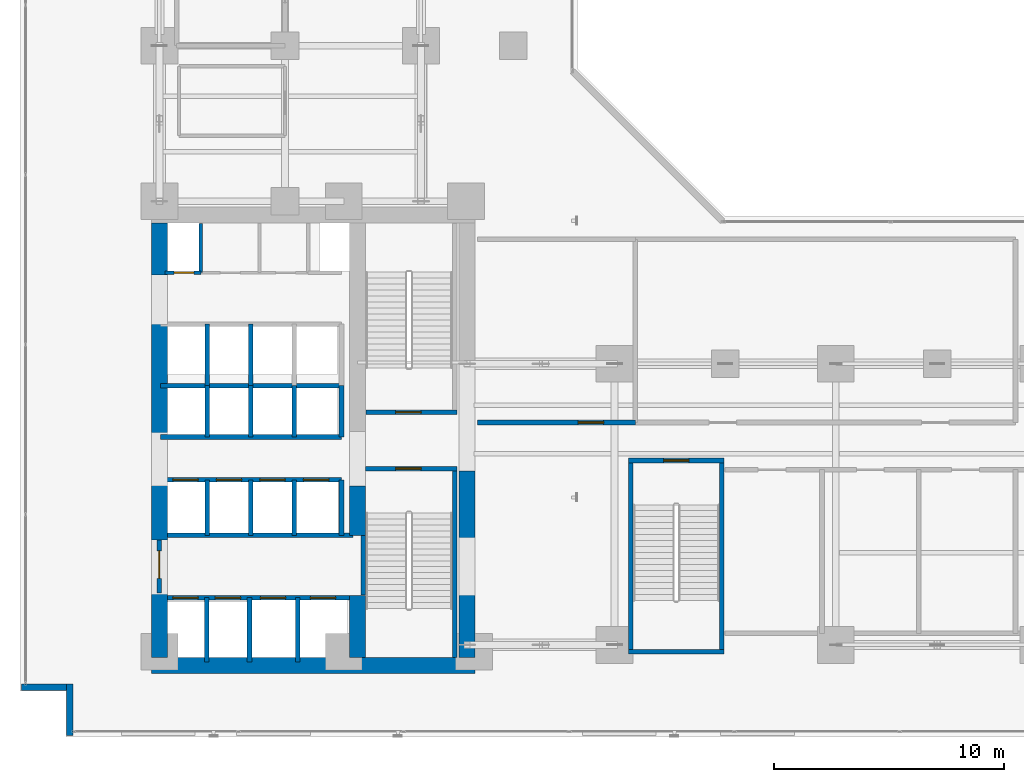
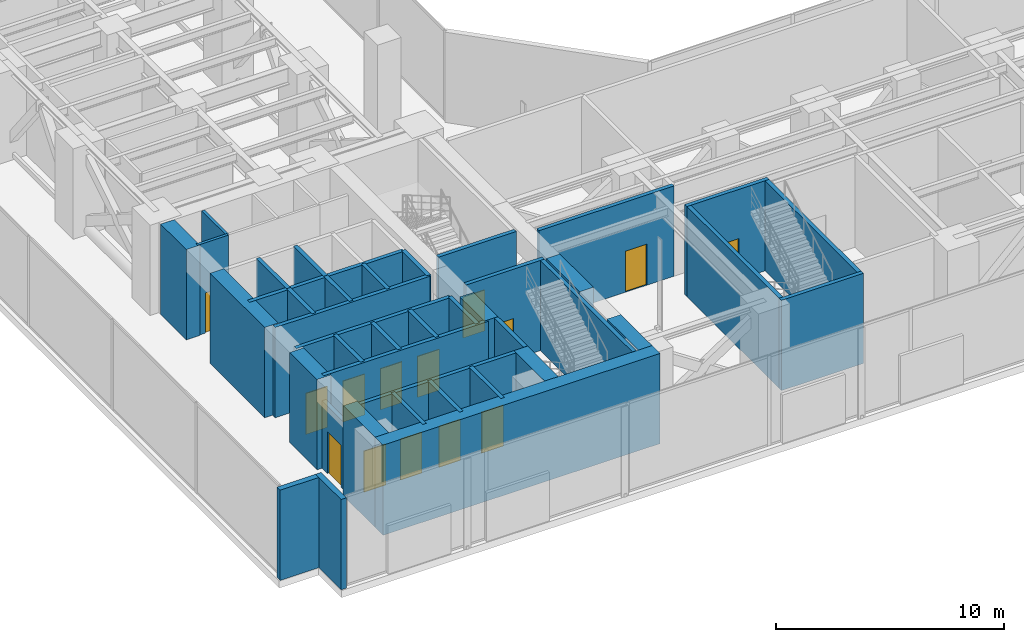
# One storey, part 32 of 36: 41 walls, 14 doors, 14 openings.
"""IFC4 building model written with IfcOpenShell, lengths in metres."""

from ifc_helpers import new_model, si_unit, direction, frame, frame_2d, origin, place, context, subcontext, project, spatial, rectangle, extrude, material, layer, layer_set, type_object, element, fill, save


model = new_model("IFC4")

# Units and contexts
model_context = context("Model", 3, precision=1e-05, world=origin(), true_north=direction((0.0, 1.0)))
body_context = subcontext(model_context, "Body", "Model", "MODEL_VIEW")
ifc_project = project(units=[si_unit("LENGTHUNIT", "METRE"), si_unit("AREAUNIT", "SQUARE_METRE"), si_unit("VOLUMEUNIT", "CUBIC_METRE"), si_unit("PLANEANGLEUNIT", "RADIAN"), si_unit("MASSUNIT", "GRAM", prefix="KILO")], contexts=[model_context])

# Site, building, storey
site_placement = place(None, origin())
site = spatial("IfcSite", under=ifc_project, at=site_placement, CompositionType="ELEMENT")
building_placement = place(site_placement, origin())
building = spatial("IfcBuilding", under=site, at=building_placement, Name="Kolvaren Waterfront Exchange", CompositionType="ELEMENT")
storey_placement = place(building_placement, frame((0.0, 0.0, 82.800048828125)))
storey = spatial("IfcBuildingStorey", under=building, at=storey_placement, Name="L21", CompositionType="ELEMENT", Elevation=82.800048828125)

# Walls
ifc_material_1 = material(Name="Precast concrete C40/50", Category="concrete")
ifc_layer_1 = layer(ifc_material_1, 0.280029296875, Name="Precast concrete C40/50")
ifc_layer_set_1 = layer_set([ifc_layer_1], Name="Precast concrete C40/50")
wall_type_1 = type_object("IfcWallType", Name="ARC-EXT-TERR-280", PredefinedType="SOLIDWALL", material=ifc_layer_set_1)
wall_1_placement = place(storey_placement, frame((3.56005859375, 1.260009765625, 0.0), z_axis=(0.0, 0.0, 1.0), x_axis=(0.0, 1.0, 0.0)))
element("IfcWall", 1, at=wall_1_placement, inside=storey, type_object=wall_type_1, Name="L21 notched corner spandrel pier SW-A", PredefinedType="SOLIDWALL", context=body_context, shape_type="SweptSolid", body=[
    extrude(rectangle(XDim=2.239990234375, YDim=0.280029296875, at=frame_2d((1.1201171875, 0.0))), origin(), (0.0, 0.0, 1.0), 4.83984375),
])
wall_2_placement = place(storey_placement, frame((1.4599609375, 3.360107421875, 0.0), z_axis=(0.0, 0.0, 1.0), x_axis=(1.0, 0.0, 0.0)))
element("IfcWall", 2, at=wall_2_placement, inside=storey, type_object=wall_type_1, Name="L21 notched corner spandrel pier SW-B", PredefinedType="SOLIDWALL", context=body_context, shape_type="SweptSolid", body=[
    extrude(rectangle(XDim=1.9599609375, YDim=0.280029296875, at=frame_2d((0.97998046875, 0.0))), origin(), (0.0, 0.0, 1.0), 4.83984375),
])

# Wall, opening, door
ifc_layer_2 = layer(ifc_material_1, 0.199951171875, Name="Precast concrete C40/50")
ifc_layer_set_2 = layer_set([ifc_layer_2], Name="Precast concrete C40/50")
wall_type_2 = type_object("IfcWallType", Name="ARC-FIRE-200", PredefinedType="PARTITIONING", material=ifc_layer_set_2)
wall_3_placement = place(storey_placement, frame((16.39990234375, 12.85009765625, 0.0), z_axis=(0.0, 0.0, 1.0), x_axis=(1.0, 0.0, 0.0)))
wall_3 = element("IfcWall", 3, at=wall_3_placement, inside=storey, type_object=wall_type_2, Name="L21 interior wall PW-L21-ST1-THROAT-S", PredefinedType="PARTITIONING", context=body_context, shape_type="SweptSolid", body=[
    extrude(rectangle(XDim=3.960205078125, YDim=0.199951171875, at=frame_2d((1.97998046875, 0.0))), origin(), (0.0, 0.0, 1.0), 4.83984375),
])
opening_1_placement = place(wall_3_placement, frame((1.3037109375, 0.0, 0.0)))
opening_1 = element("IfcOpeningElement", 4, at=opening_1_placement, cuts=wall_3, Name="Opening FD2", PredefinedType="OPENING", context=body_context, shape_type="SweptSolid", body=[
    extrude(rectangle(XDim=1.10009765625, YDim=2.199951171875, at=frame_2d((0.550048828125, 1.10009765625))), frame((0.0, 0.10986328125, 0.0), z_axis=(0.0, -1.0, 0.0), x_axis=(1.0, 0.0, 0.0)), (0.0, 0.0, 1.0), 0.219970703125),
])
ifc_material_2 = material(Name="Pressed steel smoke-seal fire door", Category="steel")
door_type_1 = type_object("IfcDoorType", Name="ARC-FD-1100", OperationType="NOTDEFINED", PredefinedType="DOOR", material=ifc_material_2)
door_1_placement = place(opening_1_placement, frame((1.10009765625, 0.0, 0.0), z_axis=(0.0, 0.0, 1.0), x_axis=(-1.0, 0.0, 0.0)))
door_1 = element("IfcDoor", 5, at=door_1_placement, inside=storey, type_object=door_type_1, Name="L21 door DR-L21-ST1-IN (FD2)", OperationType="SINGLE_SWING_LEFT", OverallHeight=2.199951171875, OverallWidth=1.10009765625, PredefinedType="DOOR", context=body_context, shape_type="SweptSolid", body=[
    extrude(rectangle(XDim=1.10009765625, YDim=2.199951171875, at=frame_2d((0.550048828125, 1.10009765625))), frame((0.0, 0.02490234375, 0.0), z_axis=(0.0, -1.0, 0.0), x_axis=(1.0, 0.0, 0.0)), (0.0, 0.0, 1.0), 0.050048828125),
])
fill(opening_1, door_1)

wall_4_placement = place(storey_placement, frame((16.409912109375, 15.300048828125, 0.0), z_axis=(0.0, 0.0, 1.0), x_axis=(1.0, 0.0, 0.0)))
wall_4 = element("IfcWall", 6, at=wall_4_placement, inside=storey, type_object=wall_type_2, Name="L21 interior wall PW-L21-ST2-THROAT-N", PredefinedType="PARTITIONING", context=body_context, shape_type="SweptSolid", body=[
    extrude(rectangle(XDim=3.9501953125, YDim=0.199951171875, at=frame_2d((1.97509765625, 0.0))), origin(), (0.0, 0.0, 1.0), 4.83984375),
])
opening_2_placement = place(wall_4_placement, frame((1.293701171875, 0.0, 0.0)))
opening_2 = element("IfcOpeningElement", 7, at=opening_2_placement, cuts=wall_4, Name="Opening FD2", PredefinedType="OPENING", context=body_context, shape_type="SweptSolid", body=[
    extrude(rectangle(XDim=1.10009765625, YDim=2.199951171875, at=frame_2d((0.550048828125, 1.10009765625))), frame((0.0, 0.10986328125, 0.0), z_axis=(0.0, -1.0, 0.0), x_axis=(1.0, 0.0, 0.0)), (0.0, 0.0, 1.0), 0.219970703125),
])
door_2_placement = place(opening_2_placement, origin())
door_2 = element("IfcDoor", 8, at=door_2_placement, inside=storey, type_object=door_type_1, Name="L21 door DR-L21-ST2-IN (FD2)", OperationType="SINGLE_SWING_RIGHT", OverallHeight=2.199951171875, OverallWidth=1.10009765625, PredefinedType="DOOR", context=body_context, shape_type="SweptSolid", body=[
    extrude(rectangle(XDim=1.10009765625, YDim=2.199951171875, at=frame_2d((0.550048828125, 1.10009765625))), frame((0.0, 0.02490234375, 0.0), z_axis=(0.0, -1.0, 0.0), x_axis=(1.0, 0.0, 0.0)), (0.0, 0.0, 1.0), 0.050048828125),
])
fill(opening_2, door_2)

# Wall
wall_5_placement = place(storey_placement, frame((7.5, 9.949951171875, 0.0), z_axis=(0.0, 0.0, 1.0), x_axis=(1.0, 0.0, 0.0)))
element("IfcWall", 9, at=wall_5_placement, inside=storey, type_object=wall_type_2, Name="L21 interior wall PW-L21-FF-N", PredefinedType="PARTITIONING", context=body_context, shape_type="SweptSolid", body=[
    extrude(rectangle(XDim=8.35009765625, YDim=0.199951171875, at=frame_2d((4.175048828125, 0.0))), origin(), (0.0, 0.0, 1.0), 4.83984375),
])

# Wall, opening, door
wall_6_placement = place(storey_placement, frame((7.449951171875, 7.449951171875, 0.0), z_axis=(0.0, 0.0, 1.0), x_axis=(0.0, 1.0, 0.0)))
wall_6 = element("IfcWall", 10, at=wall_6_placement, inside=storey, type_object=wall_type_2, Name="L21 interior wall PW-L21-FF-W-DOOR", PredefinedType="PARTITIONING", context=body_context, shape_type="SweptSolid", body=[
    extrude(rectangle(XDim=2.300048828125, YDim=0.199951171875, at=frame_2d((1.14990234375, 0.0))), origin(), (0.0, 0.0, 1.0), 3.619873046875),
])
opening_3_placement = place(wall_6_placement, frame((0.63330078125, 0.0, 0.0)))
opening_3 = element("IfcOpeningElement", 11, at=opening_3_placement, cuts=wall_6, Name="Opening FD3", PredefinedType="OPENING", context=body_context, shape_type="SweptSolid", body=[
    extrude(rectangle(XDim=1.199951171875, YDim=2.25, at=frame_2d((0.60009765625, 1.125))), frame((0.0, 0.10986328125, 0.0), z_axis=(0.0, -1.0, 0.0), x_axis=(1.0, 0.0, 0.0)), (0.0, 0.0, 1.0), 0.219970703125),
])
ifc_material_3 = material(Name="Pressed steel fire door", Category="steel")
door_type_2 = type_object("IfcDoorType", Name="ARC-FD-1200", OperationType="NOTDEFINED", PredefinedType="DOOR", material=ifc_material_3)
door_3_placement = place(opening_3_placement, frame((1.199951171875, 0.0, 0.0), z_axis=(0.0, 0.0, 1.0), x_axis=(-1.0, 0.0, 0.0)))
door_3 = element("IfcDoor", 12, at=door_3_placement, inside=storey, type_object=door_type_2, Name="L21 door DR-L21-FF-OUT (FD3)", OperationType="SINGLE_SWING_RIGHT", OverallHeight=2.25, OverallWidth=1.199951171875, PredefinedType="DOOR", context=body_context, shape_type="SweptSolid", body=[
    extrude(rectangle(XDim=1.199951171875, YDim=2.25, at=frame_2d((0.60009765625, 1.125))), frame((0.0, 0.02490234375, 0.0), z_axis=(0.0, -1.0, 0.0), x_axis=(1.0, 0.0, 0.0)), (0.0, 0.0, 1.0), 0.050048828125),
])
fill(opening_3, door_3)

wall_7_placement = place(storey_placement, frame((21.25, 14.85009765625, 0.0), z_axis=(0.0, 0.0, 1.0), x_axis=(1.0, 0.0, 0.0)))
wall_7 = element("IfcWall", 13, at=wall_7_placement, inside=storey, type_object=wall_type_2, Name="L21 interior wall PW-L21-OAPL-S", PredefinedType="PARTITIONING", context=body_context, shape_type="SweptSolid", body=[
    extrude(rectangle(XDim=6.85009765625, YDim=0.199951171875, at=frame_2d((3.425048828125, 0.0))), origin(), (0.0, 0.0, 1.0), 4.83984375),
])
opening_4_placement = place(wall_7_placement, frame((4.372314453125, 0.0, 0.0)))
opening_4 = element("IfcOpeningElement", 14, at=opening_4_placement, cuts=wall_7, Name="Opening FD2", PredefinedType="OPENING", context=body_context, shape_type="SweptSolid", body=[
    extrude(rectangle(XDim=1.10009765625, YDim=2.199951171875, at=frame_2d((0.550048828125, 1.10009765625))), frame((0.0, 0.10986328125, 0.0), z_axis=(0.0, -1.0, 0.0), x_axis=(1.0, 0.0, 0.0)), (0.0, 0.0, 1.0), 0.219970703125),
])
door_4_placement = place(opening_4_placement, origin())
door_4 = element("IfcDoor", 15, at=door_4_placement, inside=storey, type_object=door_type_1, Name="L21 door DR-L21-OAPL1-D (FD2)", OperationType="SINGLE_SWING_RIGHT", OverallHeight=2.199951171875, OverallWidth=1.10009765625, PredefinedType="DOOR", context=body_context, shape_type="SweptSolid", body=[
    extrude(rectangle(XDim=1.10009765625, YDim=2.199951171875, at=frame_2d((0.550048828125, 1.10009765625))), frame((0.0, 0.02490234375, 0.0), z_axis=(0.0, -1.0, 0.0), x_axis=(1.0, 0.0, 0.0)), (0.0, 0.0, 1.0), 0.050048828125),
])
fill(opening_4, door_4)

# Wall
ifc_material_4 = material(Name="Gypsum fireboard steel stud", Category="steel")
ifc_layer_3 = layer(ifc_material_4, 0.14990234375, Name="Gypsum fireboard steel stud")
ifc_layer_set_3 = layer_set([ifc_layer_3], Name="Gypsum fireboard steel stud")
wall_type_3 = type_object("IfcWallType", Name="ARC-PART-150", PredefinedType="PARTITIONING", material=ifc_layer_set_3)
wall_8_placement = place(storey_placement, frame((9.25, 21.35009765625, 0.0), z_axis=(0.0, 0.0, 1.0), x_axis=(0.0, 1.0, 0.0)))
element("IfcWall", 16, at=wall_8_placement, inside=storey, type_object=wall_type_3, Name="L21 interior wall PW-L21-SVC-R1", PredefinedType="PARTITIONING", context=body_context, shape_type="SweptSolid", body=[
    extrude(rectangle(XDim=2.1298828125, YDim=0.14990234375, at=frame_2d((1.06494140625, 0.0))), origin(), (0.0, 0.0, 1.0), 4.83984375),
])

# Wall, opening, door
wall_9_placement = place(storey_placement, frame((7.699951171875, 21.35009765625, 0.0), z_axis=(0.0, 0.0, 1.0), x_axis=(1.0, 0.0, 0.0)))
wall_9 = element("IfcWall", 17, at=wall_9_placement, inside=storey, type_object=wall_type_3, Name="L21 interior wall PW-L21-SVC-RE-S", PredefinedType="PARTITIONING", context=body_context, shape_type="SweptSolid", body=[
    extrude(rectangle(XDim=1.550048828125, YDim=0.14990234375, at=frame_2d((0.77490234375, 0.0))), origin(), (0.0, 0.0, 1.0), 4.83984375),
])
opening_5_placement = place(wall_9_placement, frame((0.389892578125, 0.0, 0.0)))
opening_5 = element("IfcOpeningElement", 18, at=opening_5_placement, cuts=wall_9, Name="Opening FD1", PredefinedType="OPENING", context=body_context, shape_type="SweptSolid", body=[
    extrude(rectangle(XDim=0.85009765625, YDim=2.14990234375, at=frame_2d((0.425048828125, 1.074951171875))), frame((0.0, 0.0849609375, 0.0), z_axis=(0.0, -1.0, 0.0), x_axis=(1.0, 0.0, 0.0)), (0.0, 0.0, 1.0), 0.169921875),
])
ifc_material_5 = material(Name="Pressed steel fire leaf", Category="steel")
door_type_3 = type_object("IfcDoorType", Name="ARC-FD-900", OperationType="NOTDEFINED", PredefinedType="DOOR", material=ifc_material_5)
door_5_placement = place(opening_5_placement, origin())
door_5 = element("IfcDoor", 19, at=door_5_placement, inside=storey, type_object=door_type_3, Name="L21 door DR-L21-RISER-E-DR (FD1)", OperationType="SINGLE_SWING_LEFT", OverallHeight=2.14990234375, OverallWidth=0.85009765625, PredefinedType="DOOR", context=body_context, shape_type="SweptSolid", body=[
    extrude(rectangle(XDim=0.85009765625, YDim=2.14990234375, at=frame_2d((0.425048828125, 1.074951171875))), frame((0.0, 0.02490234375, 0.0), z_axis=(0.0, -1.0, 0.0), x_axis=(1.0, 0.0, 0.0)), (0.0, 0.0, 1.0), 0.050048828125),
])
fill(opening_5, door_5)

# Walls
ifc_material_6 = material(Name="Concrete C40/50", Category="concrete")
ifc_layer_4 = layer(ifc_material_6, 0.199951171875, Name="Concrete C40/50")
ifc_layer_set_4 = layer_set([ifc_layer_4], Name="Concrete C40/50")
wall_type_4 = type_object("IfcWallType", Name="ARC-SHAFT-200", PredefinedType="PARTITIONING", material=ifc_layer_set_4)
wall_10_placement = place(storey_placement, frame((16.300048828125, 7.360107421875, 0.0), z_axis=(0.0, 0.0, 1.0), x_axis=(0.0, 1.0, 0.0)))
element("IfcWall", 20, at=wall_10_placement, inside=storey, type_object=wall_type_4, Name="L21 structural stairwell wall PW-L21-ST1-W", PredefinedType="SHEAR", context=body_context, shape_type="SweptSolid", body=[
    extrude(rectangle(XDim=2.579833984375, YDim=0.199951171875, at=frame_2d((1.2900390625, 0.0))), origin(), (0.0, 0.0, 1.0), 4.83984375),
])
wall_11_placement = place(storey_placement, frame((20.260009765625, 4.659912109375, 0.0), z_axis=(0.0, 0.0, 1.0), x_axis=(0.0, 1.0, 0.0)))
element("IfcWall", 21, at=wall_11_placement, inside=storey, type_object=wall_type_4, Name="L21 structural stairwell wall PW-L21-ST1-E", PredefinedType="SHEAR", context=body_context, shape_type="SweptSolid", body=[
    extrude(rectangle(XDim=8.090087890625, YDim=0.199951171875, at=frame_2d((4.044921875, 0.0))), origin(), (0.0, 0.0, 1.0), 4.83984375),
])
for number, where, z_axis, x_axis, name in (
    (22, (27.89990234375, 5.0, 0.0), (0.0, 0.0, 1.0), (0.0, 1.0, 0.0), "L21 structural stairwell wall PW-L21-ST3-W"),
    (23, (31.860107421875, 5.0, 0.0), (0.0, 0.0, 1.0), (0.0, 1.0, 0.0), "L21 structural stairwell wall PW-L21-ST3-E"),
):
    element("IfcWall", number, at=place(storey_placement, frame(where, z_axis=z_axis, x_axis=x_axis)), inside=storey, type_object=wall_type_4, Name=name, PredefinedType="SHEAR", context=body_context, shape_type="SweptSolid", body=[
        extrude(rectangle(XDim=8.10009765625, YDim=0.199951171875, at=frame_2d((4.050048828125, 0.0))), origin(), (0.0, 0.0, 1.0), 4.83984375),
    ])
wall_12_placement = place(storey_placement, frame((27.800048828125, 4.89990234375, 0.0), z_axis=(0.0, 0.0, 1.0), x_axis=(1.0, 0.0, 0.0)))
element("IfcWall", 24, at=wall_12_placement, inside=storey, type_object=wall_type_4, Name="L21 structural stairwell wall PW-L21-ST3-S", PredefinedType="SHEAR", context=body_context, shape_type="SweptSolid", body=[
    extrude(rectangle(XDim=4.159912109375, YDim=0.199951171875, at=frame_2d((2.080078125, 0.0))), origin(), (0.0, 0.0, 1.0), 4.83984375),
])

# Wall, opening, door
wall_13_placement = place(storey_placement, frame((27.800048828125, 13.199951171875, 0.0), z_axis=(0.0, 0.0, 1.0), x_axis=(1.0, 0.0, 0.0)))
wall_13 = element("IfcWall", 25, at=wall_13_placement, inside=storey, type_object=wall_type_4, Name="L21 structural stairwell wall PW-L21-ST3-N", PredefinedType="SHEAR", context=body_context, shape_type="SweptSolid", body=[
    extrude(rectangle(XDim=4.159912109375, YDim=0.199951171875, at=frame_2d((2.080078125, 0.0))), origin(), (0.0, 0.0, 1.0), 4.83984375),
])
opening_6_placement = place(wall_13_placement, frame((1.530029296875, 0.0, 0.0)))
opening_6 = element("IfcOpeningElement", 26, at=opening_6_placement, cuts=wall_13, Name="Opening FD2", PredefinedType="OPENING", context=body_context, shape_type="SweptSolid", body=[
    extrude(rectangle(XDim=1.10009765625, YDim=2.199951171875, at=frame_2d((0.550048828125, 1.10009765625))), frame((0.0, 0.10986328125, 0.0), z_axis=(0.0, -1.0, 0.0), x_axis=(1.0, 0.0, 0.0)), (0.0, 0.0, 1.0), 0.219970703125),
])
door_6_placement = place(opening_6_placement, frame((1.10009765625, 0.0, 0.0), z_axis=(0.0, 0.0, 1.0), x_axis=(-1.0, 0.0, 0.0)))
door_6 = element("IfcDoor", 27, at=door_6_placement, inside=storey, type_object=door_type_1, Name="L21 door DR-L21-ST3-IN (FD2)", OperationType="SINGLE_SWING_LEFT", OverallHeight=2.199951171875, OverallWidth=1.10009765625, PredefinedType="DOOR", context=body_context, shape_type="SweptSolid", body=[
    extrude(rectangle(XDim=1.10009765625, YDim=2.199951171875, at=frame_2d((0.550048828125, 1.10009765625))), frame((0.0, 0.02490234375, 0.0), z_axis=(0.0, -1.0, 0.0), x_axis=(1.0, 0.0, 0.0)), (0.0, 0.0, 1.0), 0.050048828125),
])
fill(opening_6, door_6)

# Wall, openings, doors
wall_14_placement = place(storey_placement, frame((7.5, 7.25, 0.0), z_axis=(0.0, 0.0, 1.0), x_axis=(1.0, 0.0, 0.0)))
wall_14 = element("IfcWall", 28, at=wall_14_placement, inside=storey, type_object=wall_type_4, Name="L21 interior wall PW-L21-FF-S", PredefinedType="PARTITIONING", context=body_context, shape_type="SweptSolid", body=[
    extrude(rectangle(XDim=8.35009765625, YDim=0.199951171875, at=frame_2d((4.175048828125, 0.0))), origin(), (0.0, 0.0, 1.0), 4.83984375),
])
opening_7_placement = place(wall_14_placement, frame((0.530029296875, 0.0, 0.0)))
opening_7 = element("IfcOpeningElement", 29, at=opening_7_placement, cuts=wall_14, Name="Opening LD1", PredefinedType="OPENING", context=body_context, shape_type="SweptSolid", body=[
    extrude(rectangle(XDim=1.10009765625, YDim=2.199951171875, at=frame_2d((0.550048828125, 1.10009765625))), frame((0.0, 0.10986328125, 0.0), z_axis=(0.0, -1.0, 0.0), x_axis=(1.0, 0.0, 0.0)), (0.0, 0.0, 1.0), 0.219970703125),
])
opening_8_placement = place(wall_14_placement, frame((2.3701171875, 0.0, 0.0)))
opening_8 = element("IfcOpeningElement", 30, at=opening_8_placement, cuts=wall_14, Name="Opening LD1", PredefinedType="OPENING", context=body_context, shape_type="SweptSolid", body=[
    extrude(rectangle(XDim=1.10009765625, YDim=2.199951171875, at=frame_2d((0.550048828125, 1.10009765625))), frame((0.0, 0.10986328125, 0.0), z_axis=(0.0, -1.0, 0.0), x_axis=(1.0, 0.0, 0.0)), (0.0, 0.0, 1.0), 0.219970703125),
])
opening_9_placement = place(wall_14_placement, frame((4.330078125, 0.0, 0.0)))
opening_9 = element("IfcOpeningElement", 31, at=opening_9_placement, cuts=wall_14, Name="Opening LD1", PredefinedType="OPENING", context=body_context, shape_type="SweptSolid", body=[
    extrude(rectangle(XDim=1.10009765625, YDim=2.199951171875, at=frame_2d((0.550048828125, 1.10009765625))), frame((0.0, 0.10986328125, 0.0), z_axis=(0.0, -1.0, 0.0), x_axis=(1.0, 0.0, 0.0)), (0.0, 0.0, 1.0), 0.219970703125),
])
opening_10_placement = place(wall_14_placement, frame((6.5, 0.0, 0.0)))
opening_10 = element("IfcOpeningElement", 32, at=opening_10_placement, cuts=wall_14, Name="Opening LD1", PredefinedType="OPENING", context=body_context, shape_type="SweptSolid", body=[
    extrude(rectangle(XDim=1.10009765625, YDim=2.199951171875, at=frame_2d((0.550048828125, 1.10009765625))), frame((0.0, 0.10986328125, 0.0), z_axis=(0.0, -1.0, 0.0), x_axis=(1.0, 0.0, 0.0)), (0.0, 0.0, 1.0), 0.219970703125),
])
ifc_material_7 = material(Name="Stainless steel sliding landing door", Category="steel")
door_type_4 = type_object("IfcDoorType", Name="ARC-LD-FF", OperationType="SLIDING_TO_LEFT", PredefinedType="DOOR", material=ifc_material_7)
door_7_placement = place(opening_7_placement, origin())
door_7 = element("IfcDoor", 33, at=door_7_placement, inside=storey, type_object=door_type_4, Name="L21 door LD-L21-FFL1 (LD1)", OperationType="SLIDING_TO_LEFT", OverallHeight=2.199951171875, OverallWidth=1.10009765625, PredefinedType="DOOR", context=body_context, shape_type="SweptSolid", body=[
    extrude(rectangle(XDim=1.10009765625, YDim=2.199951171875, at=frame_2d((0.550048828125, 1.10009765625))), frame((0.0, 0.02490234375, 0.0), z_axis=(0.0, -1.0, 0.0), x_axis=(1.0, 0.0, 0.0)), (0.0, 0.0, 1.0), 0.050048828125),
])
fill(opening_7, door_7)
door_8_placement = place(opening_8_placement, origin())
door_8 = element("IfcDoor", 34, at=door_8_placement, inside=storey, type_object=door_type_4, Name="L21 door LD-L21-FFL2 (LD1)", OperationType="SLIDING_TO_LEFT", OverallHeight=2.199951171875, OverallWidth=1.10009765625, PredefinedType="DOOR", context=body_context, shape_type="SweptSolid", body=[
    extrude(rectangle(XDim=1.10009765625, YDim=2.199951171875, at=frame_2d((0.550048828125, 1.10009765625))), frame((0.0, 0.02490234375, 0.0), z_axis=(0.0, -1.0, 0.0), x_axis=(1.0, 0.0, 0.0)), (0.0, 0.0, 1.0), 0.050048828125),
])
fill(opening_8, door_8)
door_9_placement = place(opening_9_placement, origin())
door_9 = element("IfcDoor", 35, at=door_9_placement, inside=storey, type_object=door_type_4, Name="L21 door LD-L21-GL1 (LD1)", OperationType="SLIDING_TO_LEFT", OverallHeight=2.199951171875, OverallWidth=1.10009765625, PredefinedType="DOOR", context=body_context, shape_type="SweptSolid", body=[
    extrude(rectangle(XDim=1.10009765625, YDim=2.199951171875, at=frame_2d((0.550048828125, 1.10009765625))), frame((0.0, 0.02490234375, 0.0), z_axis=(0.0, -1.0, 0.0), x_axis=(1.0, 0.0, 0.0)), (0.0, 0.0, 1.0), 0.050048828125),
])
fill(opening_9, door_9)
door_10_placement = place(opening_10_placement, origin())
door_10 = element("IfcDoor", 36, at=door_10_placement, inside=storey, type_object=door_type_4, Name="L21 door LD-L21-GL2 (LD1)", OperationType="SLIDING_TO_LEFT", OverallHeight=2.199951171875, OverallWidth=1.10009765625, PredefinedType="DOOR", context=body_context, shape_type="SweptSolid", body=[
    extrude(rectangle(XDim=1.10009765625, YDim=2.199951171875, at=frame_2d((0.550048828125, 1.10009765625))), frame((0.0, 0.02490234375, 0.0), z_axis=(0.0, -1.0, 0.0), x_axis=(1.0, 0.0, 0.0)), (0.0, 0.0, 1.0), 0.050048828125),
])
fill(opening_10, door_10)

# Walls
for number, where, z_axis, x_axis, name in (
    (37, (9.5, 4.449951171875, 0.0), (0.0, 0.0, 1.0), (0.0, 1.0, 0.0), "L21 interior wall PW-L21-SH1-DIV-95"),
    (38, (11.360107421875, 4.449951171875, 0.0), (0.0, 0.0, 1.0), (0.0, 1.0, 0.0), "L21 interior wall PW-L21-SH1-DIV-113"),
    (39, (13.4599609375, 4.449951171875, 0.0), (0.0, 0.0, 1.0), (0.0, 1.0, 0.0), "L21 interior wall PW-L21-SH1-DIV-134"),
):
    element("IfcWall", number, at=place(storey_placement, frame(where, z_axis=z_axis, x_axis=x_axis)), inside=storey, type_object=wall_type_4, Name=name, PredefinedType="PARTITIONING", context=body_context, shape_type="SweptSolid", body=[
        extrude(rectangle(XDim=2.800048828125, YDim=0.199951171875, at=frame_2d((1.39990234375, 0.0))), origin(), (0.0, 0.0, 1.0), 4.83984375),
    ])

# Wall, openings, doors
wall_15_placement = place(storey_placement, frame((7.5, 12.360107421875, 0.0), z_axis=(0.0, 0.0, 1.0), x_axis=(1.0, 0.0, 0.0)))
wall_15 = element("IfcWall", 40, at=wall_15_placement, inside=storey, type_object=wall_type_4, Name="L21 interior wall PW-L21-PL-N", PredefinedType="PARTITIONING", context=body_context, shape_type="SweptSolid", body=[
    extrude(rectangle(XDim=7.85009765625, YDim=0.199951171875, at=frame_2d((3.925048828125, 0.0))), origin(), (0.0, 0.0, 1.0), 4.83984375),
])
opening_11_placement = place(wall_15_placement, frame((0.530029296875, 0.0, 0.0)))
opening_11 = element("IfcOpeningElement", 41, at=opening_11_placement, cuts=wall_15, Name="Opening LD2", PredefinedType="OPENING", context=body_context, shape_type="SweptSolid", body=[
    extrude(rectangle(XDim=1.10009765625, YDim=2.199951171875, at=frame_2d((0.550048828125, 1.10009765625))), frame((0.0, 0.10986328125, 0.0), z_axis=(0.0, -1.0, 0.0), x_axis=(1.0, 0.0, 0.0)), (0.0, 0.0, 1.0), 0.219970703125),
])
opening_12_placement = place(wall_15_placement, frame((2.419921875, 0.0, 0.0)))
opening_12 = element("IfcOpeningElement", 42, at=opening_12_placement, cuts=wall_15, Name="Opening LD2", PredefinedType="OPENING", context=body_context, shape_type="SweptSolid", body=[
    extrude(rectangle(XDim=1.10009765625, YDim=2.199951171875, at=frame_2d((0.550048828125, 1.10009765625))), frame((0.0, 0.10986328125, 0.0), z_axis=(0.0, -1.0, 0.0), x_axis=(1.0, 0.0, 0.0)), (0.0, 0.0, 1.0), 0.219970703125),
])
opening_13_placement = place(wall_15_placement, frame((4.31005859375, 0.0, 0.0)))
opening_13 = element("IfcOpeningElement", 43, at=opening_13_placement, cuts=wall_15, Name="Opening LD2", PredefinedType="OPENING", context=body_context, shape_type="SweptSolid", body=[
    extrude(rectangle(XDim=1.10009765625, YDim=2.199951171875, at=frame_2d((0.550048828125, 1.10009765625))), frame((0.0, 0.10986328125, 0.0), z_axis=(0.0, -1.0, 0.0), x_axis=(1.0, 0.0, 0.0)), (0.0, 0.0, 1.0), 0.219970703125),
])
opening_14_placement = place(wall_15_placement, frame((6.199951171875, 0.0, 0.0)))
opening_14 = element("IfcOpeningElement", 44, at=opening_14_placement, cuts=wall_15, Name="Opening LD2", PredefinedType="OPENING", context=body_context, shape_type="SweptSolid", body=[
    extrude(rectangle(XDim=1.10009765625, YDim=2.199951171875, at=frame_2d((0.550048828125, 1.10009765625))), frame((0.0, 0.10986328125, 0.0), z_axis=(0.0, -1.0, 0.0), x_axis=(1.0, 0.0, 0.0)), (0.0, 0.0, 1.0), 0.219970703125),
])
ifc_material_8 = material(Name="Brushed bronze sliding landing door", Category="aluminium")
door_type_5 = type_object("IfcDoorType", Name="ARC-LD-PAX", OperationType="SLIDING_TO_LEFT", PredefinedType="DOOR", material=ifc_material_8)
door_11_placement = place(opening_11_placement, origin())
door_11 = element("IfcDoor", 45, at=door_11_placement, inside=storey, type_object=door_type_5, Name="L21 door LD-L21-PL1 (LD2)", OperationType="SLIDING_TO_LEFT", OverallHeight=2.199951171875, OverallWidth=1.10009765625, PredefinedType="DOOR", context=body_context, shape_type="SweptSolid", body=[
    extrude(rectangle(XDim=1.10009765625, YDim=2.199951171875, at=frame_2d((0.550048828125, 1.10009765625))), frame((0.0, 0.02490234375, 0.0), z_axis=(0.0, -1.0, 0.0), x_axis=(1.0, 0.0, 0.0)), (0.0, 0.0, 1.0), 0.050048828125),
])
fill(opening_11, door_11)
door_12_placement = place(opening_12_placement, origin())
door_12 = element("IfcDoor", 46, at=door_12_placement, inside=storey, type_object=door_type_5, Name="L21 door LD-L21-PL2 (LD2)", OperationType="SLIDING_TO_LEFT", OverallHeight=2.199951171875, OverallWidth=1.10009765625, PredefinedType="DOOR", context=body_context, shape_type="SweptSolid", body=[
    extrude(rectangle(XDim=1.10009765625, YDim=2.199951171875, at=frame_2d((0.550048828125, 1.10009765625))), frame((0.0, 0.02490234375, 0.0), z_axis=(0.0, -1.0, 0.0), x_axis=(1.0, 0.0, 0.0)), (0.0, 0.0, 1.0), 0.050048828125),
])
fill(opening_12, door_12)
door_13_placement = place(opening_13_placement, origin())
door_13 = element("IfcDoor", 47, at=door_13_placement, inside=storey, type_object=door_type_5, Name="L21 door LD-L21-PL3 (LD2)", OperationType="SLIDING_TO_LEFT", OverallHeight=2.199951171875, OverallWidth=1.10009765625, PredefinedType="DOOR", context=body_context, shape_type="SweptSolid", body=[
    extrude(rectangle(XDim=1.10009765625, YDim=2.199951171875, at=frame_2d((0.550048828125, 1.10009765625))), frame((0.0, 0.02490234375, 0.0), z_axis=(0.0, -1.0, 0.0), x_axis=(1.0, 0.0, 0.0)), (0.0, 0.0, 1.0), 0.050048828125),
])
fill(opening_13, door_13)
door_14_placement = place(opening_14_placement, origin())
door_14 = element("IfcDoor", 48, at=door_14_placement, inside=storey, type_object=door_type_5, Name="L21 door LD-L21-PL4 (LD2)", OperationType="SLIDING_TO_LEFT", OverallHeight=2.199951171875, OverallWidth=1.10009765625, PredefinedType="DOOR", context=body_context, shape_type="SweptSolid", body=[
    extrude(rectangle(XDim=1.10009765625, YDim=2.199951171875, at=frame_2d((0.550048828125, 1.10009765625))), frame((0.0, 0.02490234375, 0.0), z_axis=(0.0, -1.0, 0.0), x_axis=(1.0, 0.0, 0.0)), (0.0, 0.0, 1.0), 0.050048828125),
])
fill(opening_14, door_14)

# Walls
for number, where, z_axis, x_axis, name in (
    (49, (15.35009765625, 9.949951171875, 0.0), (0.0, 0.0, 1.0), (0.0, 1.0, 0.0), "L21 interior wall PW-L21-PL-E"),
    (50, (9.52001953125, 9.949951171875, 0.0), (0.0, 0.0, 1.0), (0.0, 1.0, 0.0), "L21 interior wall PW-L21-SH2-DIV-95"),
    (51, (11.409912109375, 9.949951171875, 0.0), (0.0, 0.0, 1.0), (0.0, 1.0, 0.0), "L21 interior wall PW-L21-SH2-DIV-114"),
    (52, (13.300048828125, 9.949951171875, 0.0), (0.0, 0.0, 1.0), (0.0, 1.0, 0.0), "L21 interior wall PW-L21-SH2-DIV-133"),
):
    element("IfcWall", number, at=place(storey_placement, frame(where, z_axis=z_axis, x_axis=x_axis)), inside=storey, type_object=wall_type_4, Name=name, PredefinedType="PARTITIONING", context=body_context, shape_type="SweptSolid", body=[
        extrude(rectangle(XDim=2.41015625, YDim=0.199951171875, at=frame_2d((1.205078125, 0.0))), origin(), (0.0, 0.0, 1.0), 4.83984375),
    ])
for number, where, z_axis, x_axis, name in (
    (53, (7.5, 14.219970703125, 0.0), (0.0, 0.0, 1.0), (1.0, 0.0, 0.0), "L21 interior wall PW-L21-PM-S"),
    (54, (7.5, 16.449951171875, 0.0), (0.0, 0.0, 1.0), (1.0, 0.0, 0.0), "L21 interior wall PW-L21-PM-N"),
):
    element("IfcWall", number, at=place(storey_placement, frame(where, z_axis=z_axis, x_axis=x_axis)), inside=storey, type_object=wall_type_4, Name=name, PredefinedType="PARTITIONING", context=body_context, shape_type="SweptSolid", body=[
        extrude(rectangle(XDim=7.85009765625, YDim=0.199951171875, at=frame_2d((3.925048828125, 0.0))), origin(), (0.0, 0.0, 1.0), 4.83984375),
    ])
for number, where, z_axis, x_axis, name in (
    (55, (15.35009765625, 14.219970703125, 0.0), (0.0, 0.0, 1.0), (0.0, 1.0, 0.0), "L21 interior wall PW-L21-PM-E"),
    (56, (9.52001953125, 14.219970703125, 0.0), (0.0, 0.0, 1.0), (0.0, 1.0, 0.0), "L21 interior wall PW-L21-SH3-DIV-95"),
    (57, (11.409912109375, 14.219970703125, 0.0), (0.0, 0.0, 1.0), (0.0, 1.0, 0.0), "L21 interior wall PW-L21-SH3-DIV-114"),
    (58, (13.300048828125, 14.219970703125, 0.0), (0.0, 0.0, 1.0), (0.0, 1.0, 0.0), "L21 interior wall PW-L21-SH3-DIV-133"),
):
    element("IfcWall", number, at=place(storey_placement, frame(where, z_axis=z_axis, x_axis=x_axis)), inside=storey, type_object=wall_type_4, Name=name, PredefinedType="PARTITIONING", context=body_context, shape_type="SweptSolid", body=[
        extrude(rectangle(XDim=2.22998046875, YDim=0.199951171875, at=frame_2d((1.114990234375, 0.0))), origin(), (0.0, 0.0, 1.0), 4.83984375),
    ])
for number, where, z_axis, x_axis, name in (
    (59, (9.52001953125, 16.449951171875, 0.0), (0.0, 0.0, 1.0), (0.0, 1.0, 0.0), "L21 interior wall PW-L21-SH4-DIV-95"),
    (60, (11.409912109375, 16.449951171875, 0.0), (0.0, 0.0, 1.0), (0.0, 1.0, 0.0), "L21 interior wall PW-L21-SH4-DIV-114"),
):
    element("IfcWall", number, at=place(storey_placement, frame(where, z_axis=z_axis, x_axis=x_axis)), inside=storey, type_object=wall_type_4, Name=name, PredefinedType="PARTITIONING", context=body_context, shape_type="SweptSolid", body=[
        extrude(rectangle(XDim=2.670166015625, YDim=0.199951171875, at=frame_2d((1.3349609375, 0.0))), origin(), (0.0, 0.0, 1.0), 4.83984375),
    ])
ifc_material_9 = material(Name="Concrete C70/85", Category="concrete")
ifc_layer_5 = layer(ifc_material_9, 0.699951171875, Name="Concrete C70/85")
ifc_layer_set_5 = layer_set([ifc_layer_5], Name="Concrete C70/85")
wall_type_5 = type_object("IfcWallType", Name="STR-CWALL-700", PredefinedType="SHEAR", material=ifc_layer_set_5)
wall_16_placement = place(storey_placement, frame((7.10009765625, 4.300048828125, 0.0), z_axis=(0.0, 0.0, 1.0), x_axis=(1.0, 0.0, 0.0)))
element("IfcWall", 61, at=wall_16_placement, inside=storey, type_object=wall_type_5, Name="L21 rear-core shear wall S", PredefinedType="SHEAR", context=body_context, shape_type="SweptSolid", body=[
    extrude(rectangle(XDim=14.0498046875, YDim=0.699951171875, at=frame_2d((7.02490234375, 0.0))), origin(), (0.0, 0.0, 1.0), 4.83984375),
])
wall_17_placement = place(storey_placement, frame((7.449951171875, 4.64990234375, 0.0), z_axis=(0.0, 0.0, 1.0), x_axis=(0.0, 1.0, 0.0)))
element("IfcWall", 62, at=wall_17_placement, inside=storey, type_object=wall_type_5, Name="L21 rear-core shear wall W1", PredefinedType="SHEAR", context=body_context, shape_type="SweptSolid", body=[
    extrude(rectangle(XDim=2.800048828125, YDim=0.699951171875, at=frame_2d((1.39990234375, 0.0))), origin(), (0.0, 0.0, 1.0), 4.83984375),
])
wall_18_placement = place(storey_placement, frame((7.449951171875, 9.75, 0.0), z_axis=(0.0, 0.0, 1.0), x_axis=(0.0, 1.0, 0.0)))
element("IfcWall", 63, at=wall_18_placement, inside=storey, type_object=wall_type_5, Name="L21 rear-core shear wall W2A", PredefinedType="SHEAR", context=body_context, shape_type="SweptSolid", body=[
    extrude(rectangle(XDim=2.39990234375, YDim=0.699951171875, at=frame_2d((1.199951171875, 0.0))), origin(), (0.0, 0.0, 1.0), 4.83984375),
])
wall_19_placement = place(storey_placement, frame((7.449951171875, 14.35009765625, 0.0), z_axis=(0.0, 0.0, 1.0), x_axis=(0.0, 1.0, 0.0)))
element("IfcWall", 64, at=wall_19_placement, inside=storey, type_object=wall_type_5, Name="L21 rear-core shear wall W2B", PredefinedType="SHEAR", context=body_context, shape_type="SweptSolid", body=[
    extrude(rectangle(XDim=4.809814453125, YDim=0.699951171875, at=frame_2d((2.40478515625, 0.0))), origin(), (0.0, 0.0, 1.0), 4.83984375),
])
wall_20_placement = place(storey_placement, frame((7.449951171875, 21.239990234375, 0.0), z_axis=(0.0, 0.0, 1.0), x_axis=(0.0, 1.0, 0.0)))
element("IfcWall", 65, at=wall_20_placement, inside=storey, type_object=wall_type_5, Name="L21 rear-core shear wall W3", PredefinedType="SHEAR", context=body_context, shape_type="SweptSolid", body=[
    extrude(rectangle(XDim=2.260009765625, YDim=0.699951171875, at=frame_2d((1.1298828125, 0.0))), origin(), (0.0, 0.0, 1.0), 4.83984375),
])
wall_21_placement = place(storey_placement, frame((20.800048828125, 4.64990234375, 0.0), z_axis=(0.0, 0.0, 1.0), x_axis=(0.0, 1.0, 0.0)))
element("IfcWall", 66, at=wall_21_placement, inside=storey, type_object=wall_type_5, Name="L21 rear-core shear wall E1", PredefinedType="SHEAR", context=body_context, shape_type="SweptSolid", body=[
    extrude(rectangle(XDim=2.75, YDim=0.699951171875, at=frame_2d((1.375, 0.0))), origin(), (0.0, 0.0, 1.0), 4.83984375),
])
wall_22_placement = place(storey_placement, frame((20.800048828125, 9.800048828125, 0.0), z_axis=(0.0, 0.0, 1.0), x_axis=(0.0, 1.0, 0.0)))
element("IfcWall", 67, at=wall_22_placement, inside=storey, type_object=wall_type_5, Name="L21 rear-core shear wall E2", PredefinedType="SHEAR", context=body_context, shape_type="SweptSolid", body=[
    extrude(rectangle(XDim=2.949951171875, YDim=0.699951171875, at=frame_2d((1.47509765625, 0.0))), origin(), (0.0, 0.0, 1.0), 4.83984375),
])
wall_23_placement = place(storey_placement, frame((16.050048828125, 4.64990234375, 0.0), z_axis=(0.0, 0.0, 1.0), x_axis=(0.0, 1.0, 0.0)))
element("IfcWall", 68, at=wall_23_placement, inside=storey, type_object=wall_type_5, Name="L21 rear-core shear wall M1", PredefinedType="SHEAR", context=body_context, shape_type="SweptSolid", body=[
    extrude(rectangle(XDim=2.7001953125, YDim=0.699951171875, at=frame_2d((1.35009765625, 0.0))), origin(), (0.0, 0.0, 1.0), 4.83984375),
])
wall_24_placement = place(storey_placement, frame((16.050048828125, 9.949951171875, 0.0), z_axis=(0.0, 0.0, 1.0), x_axis=(0.0, 1.0, 0.0)))
element("IfcWall", 69, at=wall_24_placement, inside=storey, type_object=wall_type_5, Name="L21 rear-core shear wall M2", PredefinedType="SHEAR", context=body_context, shape_type="SweptSolid", body=[
    extrude(rectangle(XDim=2.150146484375, YDim=0.699951171875, at=frame_2d((1.0751953125, 0.0))), origin(), (0.0, 0.0, 1.0), 4.83984375),
])

save(model, "model.ifc")
